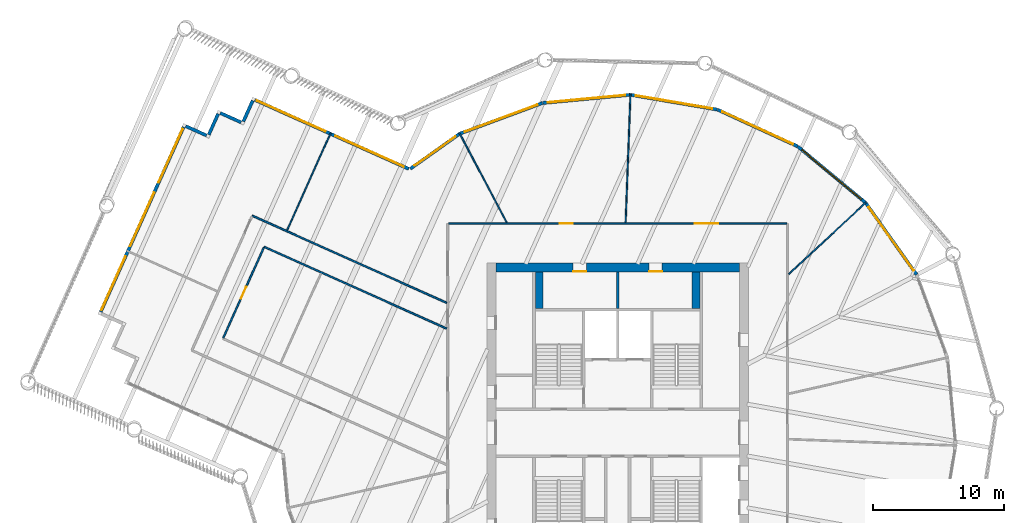
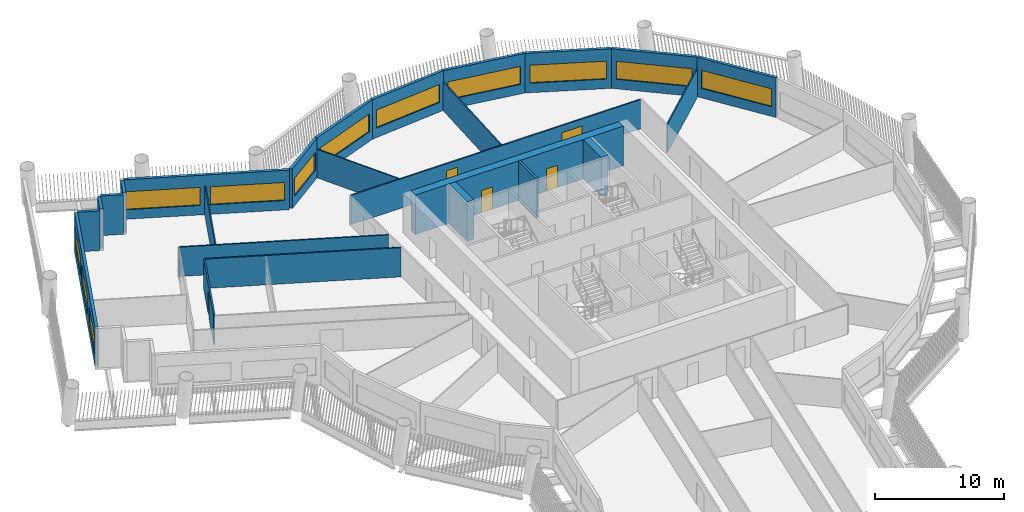
# One storey, part 6 of 14: 25 walls, 12 windows, 5 doors, 17 openings.
"""IFC4 building model written with IfcOpenShell, lengths in metres."""

from ifc_helpers import new_model, si_unit, direction, frame, frame_2d, origin, place, context, subcontext, project, spatial, rectangle, extrude, material, layer, layer_set, type_object, element, fill, save


model = new_model("IFC4")

# Units and contexts
model_context = context("Model", 3, precision=1e-05, world=origin(), true_north=direction((0.0, 1.0)))
body_context = subcontext(model_context, "Body", "Model", "MODEL_VIEW")
ifc_project = project(units=[si_unit("LENGTHUNIT", "METRE"), si_unit("AREAUNIT", "SQUARE_METRE"), si_unit("VOLUMEUNIT", "CUBIC_METRE"), si_unit("PLANEANGLEUNIT", "RADIAN"), si_unit("MASSUNIT", "GRAM", prefix="KILO")], contexts=[model_context])

# Site, building, storey
site_placement = place(None, origin())
site = spatial("IfcSite", under=ifc_project, at=site_placement, CompositionType="ELEMENT")
building_placement = place(site_placement, origin())
building = spatial("IfcBuilding", under=site, at=building_placement, Name="Tarsis Ring Headquarters", CompositionType="ELEMENT")
storey_placement = place(building_placement, frame((0.0, 0.0, 182.699951171875)))
storey = spatial("IfcBuildingStorey", under=building, at=storey_placement, Name="L42", CompositionType="ELEMENT", Elevation=182.699951171875)

# Wall
ifc_material_1 = material(Name="Blockwork", Category="masonry")
ifc_layer_1 = layer(ifc_material_1, 0.199951171875)
ifc_layer_set_1 = layer_set([ifc_layer_1], Name="Core blockwork wall 200")
wall_type_1 = type_object("IfcWallType", Name="Core blockwork wall 200", PredefinedType="PARTITIONING", material=ifc_layer_set_1)
wall_1_placement = place(storey_placement, frame((0.0, 9.5, 0.0), z_axis=(0.0, 0.0, 1.0), x_axis=(0.0, 1.0, 0.0)))
element("IfcWall", 1, at=wall_1_placement, inside=storey, type_object=wall_type_1, Name="Core partition ND2", PredefinedType="PARTITIONING", context=body_context, shape_type="SweptSolid", body=[
    extrude(rectangle(XDim=2.800048828125, YDim=0.199951171875, at=frame_2d((1.39990234375, 0.0))), origin(), (0.0, 0.0, 1.0), 3.739990234375),
])

# Wall, openings, doors
ifc_material_2 = material(Name="Concrete C60/75", Category="concrete")
ifc_layer_2 = layer(ifc_material_2, 0.699951171875)
ifc_layer_set_2 = layer_set([ifc_layer_2], Name="Core wall 700 C60/75")
wall_type_2 = type_object("IfcWallType", Name="Core wall 700 C60/75", PredefinedType="SHEAR", material=ifc_layer_set_2)
wall_2_placement = place(storey_placement, frame((-9.300048828125, 12.64990234375, 0.0), z_axis=(0.0, 0.0, 1.0), x_axis=(1.0, 0.0, 0.0)))
wall_2 = element("IfcWall", 2, at=wall_2_placement, inside=storey, type_object=wall_type_2, Name="Core wall ON", PredefinedType="SHEAR", context=body_context, shape_type="SweptSolid", body=[
    extrude(rectangle(XDim=18.60009765625, YDim=0.699951171875, at=frame_2d((9.300048828125, 0.0))), origin(), (0.0, 0.0, 1.0), 3.739990234375),
])
opening_1_placement = place(wall_2_placement, frame((5.89990234375, 0.0, 0.0)))
opening_1 = element("IfcOpeningElement", 3, at=opening_1_placement, cuts=wall_2, Name="Opening L42-C11", PredefinedType="OPENING", context=body_context, shape_type="SweptSolid", body=[
    extrude(rectangle(XDim=1.0, YDim=2.10009765625, at=frame_2d((0.5, 1.050048828125))), frame((0.0, 0.35986328125, 0.0), z_axis=(0.0, -1.0, 0.0), x_axis=(1.0, 0.0, 0.0)), (0.0, 0.0, 1.0), 0.719970703125),
])
opening_2_placement = place(wall_2_placement, frame((11.699951171875, 0.0, 0.0)))
opening_2 = element("IfcOpeningElement", 4, at=opening_2_placement, cuts=wall_2, Name="Opening L42-C12", PredefinedType="OPENING", context=body_context, shape_type="SweptSolid", body=[
    extrude(rectangle(XDim=1.0, YDim=2.10009765625, at=frame_2d((0.5, 1.050048828125))), frame((0.0, 0.35986328125, 0.0), z_axis=(0.0, -1.0, 0.0), x_axis=(1.0, 0.0, 0.0)), (0.0, 0.0, 1.0), 0.719970703125),
])
ifc_material_3 = material(Name="Steel S355", Category="steel")
door_type_1 = type_object("IfcDoorType", Name="Core room door 1000x2100", OperationType="SINGLE_SWING_LEFT", PredefinedType="DOOR", material=ifc_material_3)
door_1_placement = place(opening_1_placement, origin())
door_1 = element("IfcDoor", 5, at=door_1_placement, inside=storey, type_object=door_type_1, Name="Core room door L42", OperationType="SINGLE_SWING_LEFT", OverallHeight=2.10009765625, OverallWidth=1.0, PredefinedType="DOOR", context=body_context, shape_type="SweptSolid", body=[
    extrude(rectangle(XDim=1.0, YDim=2.10009765625, at=frame_2d((0.5, 1.050048828125))), frame((0.0, -0.2998046875, 0.0), z_axis=(0.0, -1.0, 0.0), x_axis=(1.0, 0.0, 0.0)), (0.0, 0.0, 1.0), 0.050048828125),
])
fill(opening_1, door_1)
door_2_placement = place(opening_2_placement, origin())
door_2 = element("IfcDoor", 6, at=door_2_placement, inside=storey, type_object=door_type_1, Name="Core room door L42", OperationType="SINGLE_SWING_LEFT", OverallHeight=2.10009765625, OverallWidth=1.0, PredefinedType="DOOR", context=body_context, shape_type="SweptSolid", body=[
    extrude(rectangle(XDim=1.0, YDim=2.10009765625, at=frame_2d((0.5, 1.050048828125))), frame((0.0, -0.2998046875, 0.0), z_axis=(0.0, -1.0, 0.0), x_axis=(1.0, 0.0, 0.0)), (0.0, 0.0, 1.0), 0.050048828125),
])
fill(opening_2, door_2)

# Walls
ifc_material_4 = material(Name="Gypsum board on steel studs", Category="steel")
ifc_layer_3 = layer(ifc_material_4, 0.10009765625)
ifc_layer_set_3 = layer_set([ifc_layer_3], Name="FL partition 100 unrated")
wall_type_3 = type_object("IfcWallType", Name="FL partition 100 unrated", PredefinedType="PARTITIONING", material=ifc_layer_set_3)
wall_3_placement = place(storey_placement, frame((0.606201171875, 16.070068359375, 0.0), z_axis=(0.0, 0.0, 1.0), x_axis=(0.037686165253, 0.999289624157, 0.0)))
element("IfcWall", 7, at=wall_3_placement, inside=storey, type_object=wall_type_3, Name="Partition PW3", PredefinedType="PARTITIONING", context=body_context, shape_type="SweptSolid", body=[
    extrude(rectangle(XDim=9.866455078125, YDim=0.10009765625, at=frame_2d((4.93310546875, 0.0))), origin(), (0.0, 0.0, 1.0), 2.699951171875),
])
wall_4_placement = place(storey_placement, frame((-25.2958984375, 15.489990234375, 0.0), z_axis=(0.0, 0.0, 1.0), x_axis=(0.409288405238, 0.912405064288, 0.0)))
element("IfcWall", 8, at=wall_4_placement, inside=storey, type_object=wall_type_3, Name="Partition PW3", PredefinedType="PARTITIONING", context=body_context, shape_type="SweptSolid", body=[
    extrude(rectangle(XDim=8.170166015625, YDim=0.10009765625, at=frame_2d((4.0849609375, 0.0))), origin(), (0.0, 0.0, 1.0), 2.699951171875),
])
wall_5_placement = place(storey_placement, frame((13.087890625, 12.13671875, 0.0), z_axis=(0.0, 0.0, 1.0), x_axis=(0.733267883564, 0.679939858321, 0.0)))
element("IfcWall", 9, at=wall_5_placement, inside=storey, type_object=wall_type_3, Name="Partition PW3", PredefinedType="PARTITIONING", context=body_context, shape_type="SweptSolid", body=[
    extrude(rectangle(XDim=8.0986328125, YDim=0.10009765625, at=frame_2d((4.04931640625, 0.0))), origin(), (0.0, 0.0, 1.0), 2.699951171875),
])
wall_6_placement = place(storey_placement, frame((-12.11767578125, 22.944580078125, 0.0), z_axis=(0.0, 0.0, 1.0), x_axis=(0.466990215531, -0.884262482863, 0.0)))
element("IfcWall", 10, at=wall_6_placement, inside=storey, type_object=wall_type_3, Name="Partition PW3", PredefinedType="PARTITIONING", context=body_context, shape_type="SweptSolid", body=[
    extrude(rectangle(XDim=7.763427734375, YDim=0.10009765625, at=frame_2d((3.8818359375, 0.0))), origin(), (0.0, 0.0, 1.0), 2.699951171875),
])

# Wall, openings, doors
ifc_layer_4 = layer(ifc_material_4, 0.125)
ifc_layer_set_4 = layer_set([ifc_layer_4], Name="FL partition 125 EI 60 H2770")
wall_type_4 = type_object("IfcWallType", Name="FL partition 125 EI 60 H2770", PredefinedType="PARTITIONING", material=ifc_layer_set_4)
wall_7_placement = place(storey_placement, frame((-12.93798828125, 16.0, 0.0), z_axis=(0.0, 0.0, 1.0), x_axis=(1.0, 0.0, 0.0)))
wall_7 = element("IfcWall", 11, at=wall_7_placement, inside=storey, type_object=wall_type_4, Name="Partition PW1", PredefinedType="PARTITIONING", context=body_context, shape_type="SweptSolid", body=[
    extrude(rectangle(XDim=25.8779296875, YDim=0.125, at=frame_2d((12.93896484375, 0.0))), origin(), (0.0, 0.0, 1.0), 2.77001953125),
])
opening_3_placement = place(wall_7_placement, frame((8.5146484375, 0.0, 0.0)))
opening_3 = element("IfcOpeningElement", 12, at=opening_3_placement, cuts=wall_7, Name="Opening D42.04", PredefinedType="OPENING", context=body_context, shape_type="SweptSolid", body=[
    extrude(rectangle(XDim=1.0, YDim=2.10009765625, at=frame_2d((0.5, 1.050048828125))), frame((0.0, 0.072509765625, 0.0), z_axis=(0.0, -1.0, 0.0), x_axis=(1.0, 0.0, 0.0)), (0.0, 0.0, 1.0), 0.14501953125),
])
opening_4_placement = place(wall_7_placement, frame((18.839599609375, 0.0, 0.0)))
opening_4 = element("IfcOpeningElement", 13, at=opening_4_placement, cuts=wall_7, Name="Opening D42.05", PredefinedType="OPENING", context=body_context, shape_type="SweptSolid", body=[
    extrude(rectangle(XDim=1.800048828125, YDim=2.10009765625, at=frame_2d((0.89990234375, 1.050048828125))), frame((0.0, 0.072509765625, 0.0), z_axis=(0.0, -1.0, 0.0), x_axis=(1.0, 0.0, 0.0)), (0.0, 0.0, 1.0), 0.14501953125),
])
ifc_material_5 = material(Name="Fire-rated timber door leaf in steel frame", Category="steel")
door_type_2 = type_object("IfcDoorType", Name="FL door FD60-1000", OperationType="NOTDEFINED", PredefinedType="DOOR", material=ifc_material_5)
door_3_placement = place(opening_3_placement, origin())
door_3 = element("IfcDoor", 14, at=door_3_placement, inside=storey, type_object=door_type_2, Name="Door D42.04", OperationType="SINGLE_SWING_RIGHT", OverallHeight=2.10009765625, OverallWidth=1.0, PredefinedType="DOOR", context=body_context, shape_type="SweptSolid", body=[
    extrude(rectangle(XDim=1.0, YDim=2.10009765625, at=frame_2d((0.5, 1.050048828125))), frame((0.0, 0.02490234375, 0.0), z_axis=(0.0, -1.0, 0.0), x_axis=(1.0, 0.0, 0.0)), (0.0, 0.0, 1.0), 0.050048828125),
])
fill(opening_3, door_3)
door_type_3 = type_object("IfcDoorType", Name="FL door FD60-1800", OperationType="DOUBLE_DOOR_SINGLE_SWING", PredefinedType="DOOR", material=ifc_material_5)
door_4_placement = place(opening_4_placement, origin())
door_4 = element("IfcDoor", 15, at=door_4_placement, inside=storey, type_object=door_type_3, Name="Door D42.05", OperationType="DOUBLE_DOOR_SINGLE_SWING", OverallHeight=2.10009765625, OverallWidth=1.800048828125, PredefinedType="DOOR", context=body_context, shape_type="SweptSolid", body=[
    extrude(rectangle(XDim=1.800048828125, YDim=2.10009765625, at=frame_2d((0.89990234375, 1.050048828125))), frame((0.0, 0.02490234375, 0.0), z_axis=(0.0, -1.0, 0.0), x_axis=(1.0, 0.0, 0.0)), (0.0, 0.0, 1.0), 0.050048828125),
])
fill(opening_4, door_4)

# Walls
wall_8_placement = place(storey_placement, frame((-27.952392578125, 16.60498046875, 0.0), z_axis=(0.0, 0.0, 1.0), x_axis=(0.912408842888, -0.4092799817, 0.0)))
element("IfcWall", 16, at=wall_8_placement, inside=storey, type_object=wall_type_4, Name="Partition PW1", PredefinedType="PARTITIONING", context=body_context, shape_type="SweptSolid", body=[
    extrude(rectangle(XDim=16.2978515625, YDim=0.125, at=frame_2d((8.14892578125, 0.0))), origin(), (0.0, 0.0, 1.0), 2.77001953125),
])
wall_9_placement = place(storey_placement, frame((-27.046630859375, 14.225830078125, 0.0), z_axis=(0.0, 0.0, 1.0), x_axis=(0.912407665007, -0.409282607541, 0.0)))
element("IfcWall", 17, at=wall_9_placement, inside=storey, type_object=wall_type_4, Name="Partition PW1", PredefinedType="PARTITIONING", context=body_context, shape_type="SweptSolid", body=[
    extrude(rectangle(XDim=15.30517578125, YDim=0.125, at=frame_2d((7.652587890625, 0.0))), origin(), (0.0, 0.0, 1.0), 2.77001953125),
])

# Wall, opening, door
wall_10_placement = place(storey_placement, frame((-30.173583984375, 7.255126953125, 0.0), z_axis=(0.0, 0.0, 1.0), x_axis=(0.409276920834, 0.912410215897, 0.0)))
wall_10 = element("IfcWall", 18, at=wall_10_placement, inside=storey, type_object=wall_type_4, Name="Partition PW1", PredefinedType="PARTITIONING", context=body_context, shape_type="SweptSolid", body=[
    extrude(rectangle(XDim=7.579833984375, YDim=0.125, at=frame_2d((3.7900390625, 0.0))), origin(), (0.0, 0.0, 1.0), 2.77001953125),
])
opening_5_placement = place(wall_10_placement, frame((3.2900390625, 0.0, 0.0)))
opening_5 = element("IfcOpeningElement", 19, at=opening_5_placement, cuts=wall_10, Name="Opening D42.16", PredefinedType="OPENING", context=body_context, shape_type="SweptSolid", body=[
    extrude(rectangle(XDim=1.0, YDim=2.10009765625, at=frame_2d((0.5, 1.050048828125))), frame((0.0, 0.072509765625, 0.0), z_axis=(0.0, -1.0, 0.0), x_axis=(1.0, 0.0, 0.0)), (0.0, 0.0, 1.0), 0.14501953125),
])
door_5_placement = place(opening_5_placement, origin())
door_5 = element("IfcDoor", 20, at=door_5_placement, inside=storey, type_object=door_type_2, Name="Door D42.16", OperationType="SINGLE_SWING_RIGHT", OverallHeight=2.10009765625, OverallWidth=1.0, PredefinedType="DOOR", context=body_context, shape_type="SweptSolid", body=[
    extrude(rectangle(XDim=1.0, YDim=2.10009765625, at=frame_2d((0.5, 1.050048828125))), frame((0.0, 0.02490234375, 0.0), z_axis=(0.0, -1.0, 0.0), x_axis=(1.0, 0.0, 0.0)), (0.0, 0.0, 1.0), 0.050048828125),
])
fill(opening_5, door_5)

# Wall, opening, window
ifc_material_6 = material(Name="Terracotta clad insulated panel wall", Category="masonry")
ifc_layer_5 = layer(ifc_material_6, 0.25)
ifc_layer_set_5 = layer_set([ifc_layer_5], Name="Facade wall terracotta panel 250")
wall_type_5 = type_object("IfcWallType", Name="Facade wall terracotta panel 250", PredefinedType="STANDARD", material=ifc_layer_set_5)
wall_11_placement = place(storey_placement, frame((22.86962890625, 12.0966796875, 0.0), z_axis=(0.0, 0.0, 1.0), x_axis=(-0.578434490124, 0.815728840139, 0.0)))
wall_11 = element("IfcWall", 21, at=wall_11_placement, inside=storey, type_object=wall_type_5, Name="External wall L42-24", PredefinedType="STANDARD", context=body_context, shape_type="SweptSolid", body=[
    extrude(rectangle(XDim=6.721435546875, YDim=0.25, at=frame_2d((3.36083984375, 0.0))), origin(), (0.0, 0.0, 1.0), 3.739990234375),
])
opening_6_placement = place(wall_11_placement, frame((0.3857421875, 0.0, 0.89990234375)))
opening_6 = element("IfcOpeningElement", 22, at=opening_6_placement, cuts=wall_11, Name="Opening WN07", PredefinedType="OPENING", context=body_context, shape_type="SweptSolid", body=[
    extrude(rectangle(XDim=5.949951171875, YDim=1.699951171875, at=frame_2d((2.97509765625, 0.85009765625))), frame((0.0, 0.135009765625, 0.0), z_axis=(0.0, -1.0, 0.0), x_axis=(1.0, 0.0, 0.0)), (0.0, 0.0, 1.0), 0.27001953125),
])
ifc_material_7 = material(Name="Aluminium framed double glazing", Category="aluminium")
window_type_1 = type_object("IfcWindowType", Name="Facade window 5950 x 1700", PartitioningType="SINGLE_PANEL", PredefinedType="WINDOW", material=ifc_material_7)
window_1_placement = place(opening_6_placement, origin())
window_1 = element("IfcWindow", 23, at=window_1_placement, inside=storey, type_object=window_type_1, Name="Window L42-24.1", OverallHeight=1.699951171875, OverallWidth=5.949951171875, PartitioningType="SINGLE_PANEL", PredefinedType="WINDOW", context=body_context, shape_type="SweptSolid", body=[
    extrude(rectangle(XDim=5.949951171875, YDim=1.699951171875, at=frame_2d((2.97509765625, 0.85009765625))), frame((0.0, 0.030029296875, 0.0), z_axis=(0.0, -1.0, 0.0), x_axis=(1.0, 0.0, 0.0)), (0.0, 0.0, 1.0), 0.06005859375),
])
fill(opening_6, window_1)

wall_12_placement = place(storey_placement, frame((18.95947265625, 17.603515625, 0.0), z_axis=(0.0, 0.0, 1.0), x_axis=(-0.769835437301, 0.638242430019, 0.0)))
wall_12 = element("IfcWall", 24, at=wall_12_placement, inside=storey, type_object=wall_type_5, Name="External wall L42-25", PredefinedType="STANDARD", context=body_context, shape_type="SweptSolid", body=[
    extrude(rectangle(XDim=6.7216796875, YDim=0.25, at=frame_2d((3.36083984375, 0.0))), origin(), (0.0, 0.0, 1.0), 3.739990234375),
])
opening_7_placement = place(wall_12_placement, frame((0.3857421875, 0.0, 0.89990234375)))
opening_7 = element("IfcOpeningElement", 25, at=opening_7_placement, cuts=wall_12, Name="Opening WN07", PredefinedType="OPENING", context=body_context, shape_type="SweptSolid", body=[
    extrude(rectangle(XDim=5.949951171875, YDim=1.699951171875, at=frame_2d((2.97509765625, 0.85009765625))), frame((0.0, 0.135009765625, 0.0), z_axis=(0.0, -1.0, 0.0), x_axis=(1.0, 0.0, 0.0)), (0.0, 0.0, 1.0), 0.27001953125),
])
window_2_placement = place(opening_7_placement, origin())
window_2 = element("IfcWindow", 26, at=window_2_placement, inside=storey, type_object=window_type_1, Name="Window L42-25.1", OverallHeight=1.699951171875, OverallWidth=5.949951171875, PartitioningType="SINGLE_PANEL", PredefinedType="WINDOW", context=body_context, shape_type="SweptSolid", body=[
    extrude(rectangle(XDim=5.949951171875, YDim=1.699951171875, at=frame_2d((2.97509765625, 0.85009765625))), frame((0.0, 0.030029296875, 0.0), z_axis=(0.0, -1.0, 0.0), x_axis=(1.0, 0.0, 0.0)), (0.0, 0.0, 1.0), 0.06005859375),
])
fill(opening_7, window_2)

wall_13_placement = place(storey_placement, frame((13.75732421875, 21.910888671875, 0.0), z_axis=(0.0, 0.0, 1.0), x_axis=(-0.908796356468, 0.417239957903, 0.0)))
wall_13 = element("IfcWall", 27, at=wall_13_placement, inside=storey, type_object=wall_type_5, Name="External wall L42-26", PredefinedType="STANDARD", context=body_context, shape_type="SweptSolid", body=[
    extrude(rectangle(XDim=6.721435546875, YDim=0.25, at=frame_2d((3.36083984375, 0.0))), origin(), (0.0, 0.0, 1.0), 3.739990234375),
])
opening_8_placement = place(wall_13_placement, frame((0.3857421875, 0.0, 0.89990234375)))
opening_8 = element("IfcOpeningElement", 28, at=opening_8_placement, cuts=wall_13, Name="Opening WN07", PredefinedType="OPENING", context=body_context, shape_type="SweptSolid", body=[
    extrude(rectangle(XDim=5.949951171875, YDim=1.699951171875, at=frame_2d((2.97509765625, 0.85009765625))), frame((0.0, 0.135009765625, 0.0), z_axis=(0.0, -1.0, 0.0), x_axis=(1.0, 0.0, 0.0)), (0.0, 0.0, 1.0), 0.27001953125),
])
window_3_placement = place(opening_8_placement, origin())
window_3 = element("IfcWindow", 29, at=window_3_placement, inside=storey, type_object=window_type_1, Name="Window L42-26.1", OverallHeight=1.699951171875, OverallWidth=5.949951171875, PartitioningType="SINGLE_PANEL", PredefinedType="WINDOW", context=body_context, shape_type="SweptSolid", body=[
    extrude(rectangle(XDim=5.949951171875, YDim=1.699951171875, at=frame_2d((2.97509765625, 0.85009765625))), frame((0.0, 0.030029296875, 0.0), z_axis=(0.0, -1.0, 0.0), x_axis=(1.0, 0.0, 0.0)), (0.0, 0.0, 1.0), 0.06005859375),
])
fill(opening_8, window_3)

wall_14_placement = place(storey_placement, frame((7.61767578125, 24.724853515625, 0.0), z_axis=(0.0, 0.0, 1.0), x_axis=(-0.985819635679, 0.167808360666, 0.0)))
wall_14 = element("IfcWall", 30, at=wall_14_placement, inside=storey, type_object=wall_type_5, Name="External wall L42-27", PredefinedType="STANDARD", context=body_context, shape_type="SweptSolid", body=[
    extrude(rectangle(XDim=6.721435546875, YDim=0.25, at=frame_2d((3.36083984375, 0.0))), origin(), (0.0, 0.0, 1.0), 3.739990234375),
])
opening_9_placement = place(wall_14_placement, frame((0.3857421875, 0.0, 0.89990234375)))
opening_9 = element("IfcOpeningElement", 31, at=opening_9_placement, cuts=wall_14, Name="Opening WN07", PredefinedType="OPENING", context=body_context, shape_type="SweptSolid", body=[
    extrude(rectangle(XDim=5.949951171875, YDim=1.699951171875, at=frame_2d((2.97509765625, 0.85009765625))), frame((0.0, 0.135009765625, 0.0), z_axis=(0.0, -1.0, 0.0), x_axis=(1.0, 0.0, 0.0)), (0.0, 0.0, 1.0), 0.27001953125),
])
window_4_placement = place(opening_9_placement, origin())
window_4 = element("IfcWindow", 32, at=window_4_placement, inside=storey, type_object=window_type_1, Name="Window L42-27.1", OverallHeight=1.699951171875, OverallWidth=5.949951171875, PartitioningType="SINGLE_PANEL", PredefinedType="WINDOW", context=body_context, shape_type="SweptSolid", body=[
    extrude(rectangle(XDim=5.949951171875, YDim=1.699951171875, at=frame_2d((2.97509765625, 0.85009765625))), frame((0.0, 0.030029296875, 0.0), z_axis=(0.0, -1.0, 0.0), x_axis=(1.0, 0.0, 0.0)), (0.0, 0.0, 1.0), 0.06005859375),
])
fill(opening_9, window_4)

wall_15_placement = place(storey_placement, frame((0.958740234375, 25.85400390625, 0.0), z_axis=(0.0, 0.0, 1.0), x_axis=(-0.995660767959, -0.093057160642, 0.0)))
wall_15 = element("IfcWall", 33, at=wall_15_placement, inside=storey, type_object=wall_type_5, Name="External wall L42-28", PredefinedType="STANDARD", context=body_context, shape_type="SweptSolid", body=[
    extrude(rectangle(XDim=6.721435546875, YDim=0.25, at=frame_2d((3.36083984375, 0.0))), origin(), (0.0, 0.0, 1.0), 3.739990234375),
])
opening_10_placement = place(wall_15_placement, frame((0.3857421875, 0.0, 0.89990234375)))
opening_10 = element("IfcOpeningElement", 34, at=opening_10_placement, cuts=wall_15, Name="Opening WN07", PredefinedType="OPENING", context=body_context, shape_type="SweptSolid", body=[
    extrude(rectangle(XDim=5.949951171875, YDim=1.699951171875, at=frame_2d((2.97509765625, 0.85009765625))), frame((0.0, 0.135009765625, 0.0), z_axis=(0.0, -1.0, 0.0), x_axis=(1.0, 0.0, 0.0)), (0.0, 0.0, 1.0), 0.27001953125),
])
window_5_placement = place(opening_10_placement, origin())
window_5 = element("IfcWindow", 35, at=window_5_placement, inside=storey, type_object=window_type_1, Name="Window L42-28.1", OverallHeight=1.699951171875, OverallWidth=5.949951171875, PartitioningType="SINGLE_PANEL", PredefinedType="WINDOW", context=body_context, shape_type="SweptSolid", body=[
    extrude(rectangle(XDim=5.949951171875, YDim=1.699951171875, at=frame_2d((2.97509765625, 0.85009765625))), frame((0.0, 0.030029296875, 0.0), z_axis=(0.0, -1.0, 0.0), x_axis=(1.0, 0.0, 0.0)), (0.0, 0.0, 1.0), 0.06005859375),
])
fill(opening_10, window_5)

wall_16_placement = place(storey_placement, frame((-5.765380859375, 25.22119140625, 0.0), z_axis=(0.0, 0.0, 1.0), x_axis=(-0.937643564577, -0.347598253457, 0.0)))
wall_16 = element("IfcWall", 36, at=wall_16_placement, inside=storey, type_object=wall_type_5, Name="External wall L42-29", PredefinedType="STANDARD", context=body_context, shape_type="SweptSolid", body=[
    extrude(rectangle(XDim=6.7216796875, YDim=0.25, at=frame_2d((3.36083984375, 0.0))), origin(), (0.0, 0.0, 1.0), 3.739990234375),
])
opening_11_placement = place(wall_16_placement, frame((0.3857421875, 0.0, 0.89990234375)))
opening_11 = element("IfcOpeningElement", 37, at=opening_11_placement, cuts=wall_16, Name="Opening WN07", PredefinedType="OPENING", context=body_context, shape_type="SweptSolid", body=[
    extrude(rectangle(XDim=5.949951171875, YDim=1.699951171875, at=frame_2d((2.97509765625, 0.85009765625))), frame((0.0, 0.135009765625, 0.0), z_axis=(0.0, -1.0, 0.0), x_axis=(1.0, 0.0, 0.0)), (0.0, 0.0, 1.0), 0.27001953125),
])
window_6_placement = place(opening_11_placement, origin())
window_6 = element("IfcWindow", 38, at=window_6_placement, inside=storey, type_object=window_type_1, Name="Window L42-29.1", OverallHeight=1.699951171875, OverallWidth=5.949951171875, PartitioningType="SINGLE_PANEL", PredefinedType="WINDOW", context=body_context, shape_type="SweptSolid", body=[
    extrude(rectangle(XDim=5.949951171875, YDim=1.699951171875, at=frame_2d((2.97509765625, 0.85009765625))), frame((0.0, 0.030029296875, 0.0), z_axis=(0.0, -1.0, 0.0), x_axis=(1.0, 0.0, 0.0)), (0.0, 0.0, 1.0), 0.06005859375),
])
fill(opening_11, window_6)

wall_17_placement = place(storey_placement, frame((-12.0966796875, 22.86962890625, 0.0), z_axis=(0.0, 0.0, 1.0), x_axis=(-0.81572200537, -0.578444128638, 0.0)))
wall_17 = element("IfcWall", 39, at=wall_17_placement, inside=storey, type_object=wall_type_5, Name="External wall L42-30", PredefinedType="STANDARD", context=body_context, shape_type="SweptSolid", body=[
    extrude(rectangle(XDim=4.617919921875, YDim=0.25, at=frame_2d((2.30908203125, 0.0))), origin(), (0.0, 0.0, 1.0), 3.739990234375),
])
opening_12_placement = place(wall_17_placement, frame((0.367431640625, 0.0, 0.89990234375)))
opening_12 = element("IfcOpeningElement", 40, at=opening_12_placement, cuts=wall_17, Name="Opening WN02", PredefinedType="OPENING", context=body_context, shape_type="SweptSolid", body=[
    extrude(rectangle(XDim=3.85009765625, YDim=1.699951171875, at=frame_2d((1.925048828125, 0.85009765625))), frame((0.0, 0.135009765625, 0.0), z_axis=(0.0, -1.0, 0.0), x_axis=(1.0, 0.0, 0.0)), (0.0, 0.0, 1.0), 0.27001953125),
])
window_type_2 = type_object("IfcWindowType", Name="Facade window 3850 x 1700", PartitioningType="SINGLE_PANEL", PredefinedType="WINDOW", material=ifc_material_7)
window_7_placement = place(opening_12_placement, origin())
window_7 = element("IfcWindow", 41, at=window_7_placement, inside=storey, type_object=window_type_2, Name="Window L42-30.1", OverallHeight=1.699951171875, OverallWidth=3.85009765625, PartitioningType="SINGLE_PANEL", PredefinedType="WINDOW", context=body_context, shape_type="SweptSolid", body=[
    extrude(rectangle(XDim=3.85009765625, YDim=1.699951171875, at=frame_2d((1.925048828125, 0.85009765625))), frame((0.0, 0.030029296875, 0.0), z_axis=(0.0, -1.0, 0.0), x_axis=(1.0, 0.0, 0.0)), (0.0, 0.0, 1.0), 0.06005859375),
])
fill(opening_12, window_7)

# Wall, openings, windows
wall_18_placement = place(storey_placement, frame((-15.987060546875, 20.1865234375, 0.0), z_axis=(0.0, 0.0, 1.0), x_axis=(-0.912407726534, 0.409282470382, 0.0)))
wall_18 = element("IfcWall", 42, at=wall_18_placement, inside=storey, type_object=wall_type_5, Name="External wall L42-31", PredefinedType="STANDARD", context=body_context, shape_type="SweptSolid", body=[
    extrude(rectangle(XDim=12.9013671875, YDim=0.25, at=frame_2d((6.45068359375, 0.0))), origin(), (0.0, 0.0, 1.0), 3.739990234375),
])
opening_13_placement = place(wall_18_placement, frame((0.412841796875, 0.0, 0.89990234375)))
opening_13 = element("IfcOpeningElement", 43, at=opening_13_placement, cuts=wall_18, Name="Opening WN06", PredefinedType="OPENING", context=body_context, shape_type="SweptSolid", body=[
    extrude(rectangle(XDim=5.75, YDim=1.699951171875, at=frame_2d((2.875, 0.85009765625))), frame((0.0, 0.135009765625, 0.0), z_axis=(0.0, -1.0, 0.0), x_axis=(1.0, 0.0, 0.0)), (0.0, 0.0, 1.0), 0.27001953125),
])
opening_14_placement = place(wall_18_placement, frame((6.988525390625, 0.0, 0.89990234375)))
opening_14 = element("IfcOpeningElement", 44, at=opening_14_placement, cuts=wall_18, Name="Opening WN06", PredefinedType="OPENING", context=body_context, shape_type="SweptSolid", body=[
    extrude(rectangle(XDim=5.75, YDim=1.699951171875, at=frame_2d((2.875, 0.85009765625))), frame((0.0, 0.135009765625, 0.0), z_axis=(0.0, -1.0, 0.0), x_axis=(1.0, 0.0, 0.0)), (0.0, 0.0, 1.0), 0.27001953125),
])
window_type_3 = type_object("IfcWindowType", Name="Facade window 5750 x 1700", PartitioningType="SINGLE_PANEL", PredefinedType="WINDOW", material=ifc_material_7)
window_8_placement = place(opening_13_placement, origin())
window_8 = element("IfcWindow", 45, at=window_8_placement, inside=storey, type_object=window_type_3, Name="Window L42-31.1", OverallHeight=1.699951171875, OverallWidth=5.75, PartitioningType="SINGLE_PANEL", PredefinedType="WINDOW", context=body_context, shape_type="SweptSolid", body=[
    extrude(rectangle(XDim=5.75, YDim=1.699951171875, at=frame_2d((2.875, 0.85009765625))), frame((0.0, 0.030029296875, 0.0), z_axis=(0.0, -1.0, 0.0), x_axis=(1.0, 0.0, 0.0)), (0.0, 0.0, 1.0), 0.06005859375),
])
fill(opening_13, window_8)
window_9_placement = place(opening_14_placement, origin())
window_9 = element("IfcWindow", 46, at=window_9_placement, inside=storey, type_object=window_type_3, Name="Window L42-31.2", OverallHeight=1.699951171875, OverallWidth=5.75, PartitioningType="SINGLE_PANEL", PredefinedType="WINDOW", context=body_context, shape_type="SweptSolid", body=[
    extrude(rectangle(XDim=5.75, YDim=1.699951171875, at=frame_2d((2.875, 0.85009765625))), frame((0.0, 0.030029296875, 0.0), z_axis=(0.0, -1.0, 0.0), x_axis=(1.0, 0.0, 0.0)), (0.0, 0.0, 1.0), 0.06005859375),
])
fill(opening_14, window_9)

# Walls
for number, where, z_axis, x_axis, name in (
    (47, (-27.92333984375, 25.40380859375, 0.0), (0.0, 0.0, 1.0), (-0.40932026394, -0.912390772382, 0.0), "External wall L42-32"),
    (48, (-28.804931640625, 23.744384765625, 0.0), (0.0, 0.0, 1.0), (-0.91244286911, 0.409204118517, 0.0), "External wall L42-33"),
    (49, (-30.56689453125, 24.397705078125, 0.0), (0.0, 0.0, 1.0), (-0.40932026394, -0.912390772382, 0.0), "External wall L42-34"),
    (50, (-31.4482421875, 22.738037109375, 0.0), (0.0, 0.0, 1.0), (-0.912390772382, 0.40932026394, 0.0), "External wall L42-35"),
):
    element("IfcWall", number, at=place(storey_placement, frame(where, z_axis=z_axis, x_axis=x_axis)), inside=storey, type_object=wall_type_5, Name=name, PredefinedType="STANDARD", context=body_context, shape_type="SweptSolid", body=[
        extrude(rectangle(XDim=1.75, YDim=0.25, at=frame_2d((0.875, 0.0))), origin(), (0.0, 0.0, 1.0), 3.739990234375),
    ])

# Wall, openings, windows
wall_19_placement = place(storey_placement, frame((-33.210205078125, 23.391357421875, 0.0), z_axis=(0.0, 0.0, 1.0), x_axis=(-0.409288349841, -0.912405089138, 0.0)))
wall_19 = element("IfcWall", 51, at=wall_19_placement, inside=storey, type_object=wall_type_5, Name="External wall L42-36", PredefinedType="STANDARD", context=body_context, shape_type="SweptSolid", body=[
    extrude(rectangle(XDim=15.5, YDim=0.25, at=frame_2d((7.75, 0.0))), origin(), (0.0, 0.0, 1.0), 3.739990234375),
])
opening_15_placement = place(wall_19_placement, frame((0.166748046875, 0.0, 0.89990234375)))
opening_15 = element("IfcOpeningElement", 52, at=opening_15_placement, cuts=wall_19, Name="Opening WN04", PredefinedType="OPENING", context=body_context, shape_type="SweptSolid", body=[
    extrude(rectangle(XDim=4.5, YDim=1.699951171875, at=frame_2d((2.25, 0.85009765625))), frame((0.0, 0.135009765625, 0.0), z_axis=(0.0, -1.0, 0.0), x_axis=(1.0, 0.0, 0.0)), (0.0, 0.0, 1.0), 0.27001953125),
])
opening_16_placement = place(wall_19_placement, frame((5.5, 0.0, 0.89990234375)))
opening_16 = element("IfcOpeningElement", 53, at=opening_16_placement, cuts=wall_19, Name="Opening WN04", PredefinedType="OPENING", context=body_context, shape_type="SweptSolid", body=[
    extrude(rectangle(XDim=4.5, YDim=1.699951171875, at=frame_2d((2.25, 0.85009765625))), frame((0.0, 0.135009765625, 0.0), z_axis=(0.0, -1.0, 0.0), x_axis=(1.0, 0.0, 0.0)), (0.0, 0.0, 1.0), 0.27001953125),
])
opening_17_placement = place(wall_19_placement, frame((10.833251953125, 0.0, 0.89990234375)))
opening_17 = element("IfcOpeningElement", 54, at=opening_17_placement, cuts=wall_19, Name="Opening WN04", PredefinedType="OPENING", context=body_context, shape_type="SweptSolid", body=[
    extrude(rectangle(XDim=4.5, YDim=1.699951171875, at=frame_2d((2.25, 0.85009765625))), frame((0.0, 0.135009765625, 0.0), z_axis=(0.0, -1.0, 0.0), x_axis=(1.0, 0.0, 0.0)), (0.0, 0.0, 1.0), 0.27001953125),
])
window_type_4 = type_object("IfcWindowType", Name="Facade window 4500 x 1700", PartitioningType="SINGLE_PANEL", PredefinedType="WINDOW", material=ifc_material_7)
window_10_placement = place(opening_15_placement, origin())
window_10 = element("IfcWindow", 55, at=window_10_placement, inside=storey, type_object=window_type_4, Name="Window L42-36.1", OverallHeight=1.699951171875, OverallWidth=4.5, PartitioningType="SINGLE_PANEL", PredefinedType="WINDOW", context=body_context, shape_type="SweptSolid", body=[
    extrude(rectangle(XDim=4.5, YDim=1.699951171875, at=frame_2d((2.25, 0.85009765625))), frame((0.0, 0.030029296875, 0.0), z_axis=(0.0, -1.0, 0.0), x_axis=(1.0, 0.0, 0.0)), (0.0, 0.0, 1.0), 0.06005859375),
])
fill(opening_15, window_10)
window_11_placement = place(opening_16_placement, origin())
window_11 = element("IfcWindow", 56, at=window_11_placement, inside=storey, type_object=window_type_4, Name="Window L42-36.2", OverallHeight=1.699951171875, OverallWidth=4.5, PartitioningType="SINGLE_PANEL", PredefinedType="WINDOW", context=body_context, shape_type="SweptSolid", body=[
    extrude(rectangle(XDim=4.5, YDim=1.699951171875, at=frame_2d((2.25, 0.85009765625))), frame((0.0, 0.030029296875, 0.0), z_axis=(0.0, -1.0, 0.0), x_axis=(1.0, 0.0, 0.0)), (0.0, 0.0, 1.0), 0.06005859375),
])
fill(opening_16, window_11)
window_12_placement = place(opening_17_placement, origin())
window_12 = element("IfcWindow", 57, at=window_12_placement, inside=storey, type_object=window_type_4, Name="Window L42-36.3", OverallHeight=1.699951171875, OverallWidth=4.5, PartitioningType="SINGLE_PANEL", PredefinedType="WINDOW", context=body_context, shape_type="SweptSolid", body=[
    extrude(rectangle(XDim=4.5, YDim=1.699951171875, at=frame_2d((2.25, 0.85009765625))), frame((0.0, 0.030029296875, 0.0), z_axis=(0.0, -1.0, 0.0), x_axis=(1.0, 0.0, 0.0)), (0.0, 0.0, 1.0), 0.06005859375),
])
fill(opening_17, window_12)

# Walls
ifc_material_8 = material(Name="Concrete C32/40", Category="concrete")
ifc_layer_6 = layer(ifc_material_8, 0.60009765625)
ifc_layer_set_6 = layer_set([ifc_layer_6], Name="Shaft end wall 600 C32/40")
wall_type_6 = type_object("IfcWallType", Name="Shaft end wall 600 C32/40", PredefinedType="SOLIDWALL", material=ifc_layer_set_6)
for number, where, z_axis, x_axis, name in (
    (58, (-6.0, 9.5, 0.0), (0.0, 0.0, 1.0), (0.0, 1.0, 0.0), "Core shaft wall NNE1"),
    (59, (6.0, 9.5, 0.0), (0.0, 0.0, 1.0), (0.0, 1.0, 0.0), "Core shaft wall NNE2"),
):
    element("IfcWall", number, at=place(storey_placement, frame(where, z_axis=z_axis, x_axis=x_axis)), inside=storey, type_object=wall_type_6, Name=name, PredefinedType="SOLIDWALL", context=body_context, shape_type="SweptSolid", body=[
        extrude(rectangle(XDim=2.800048828125, YDim=0.60009765625, at=frame_2d((1.39990234375, 0.0))), origin(), (0.0, 0.0, 1.0), 3.739990234375),
    ])

save(model, "model.ifc")
